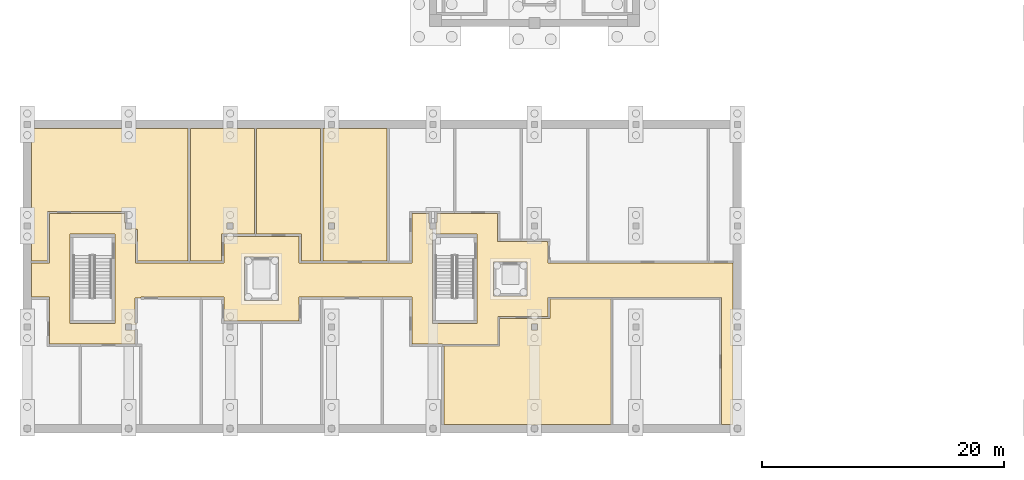
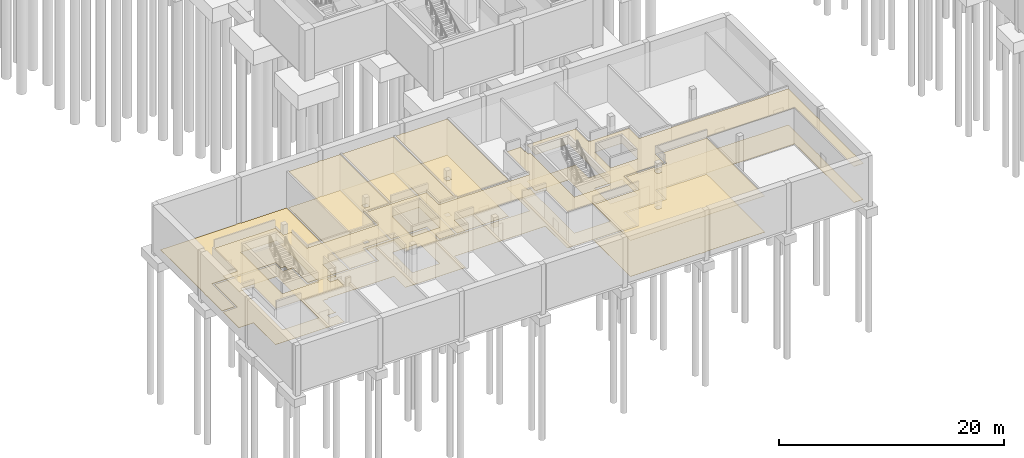
# One storey, part 20 of 33: 11 coverings.
"""IFC4 building model written with IfcOpenShell, lengths in metres."""

from ifc_helpers import new_model, si_unit, direction, frame, origin, place, context, subcontext, project, spatial, polyline, outline, extrude, material, layer, layer_set, type_object, element, save


model = new_model("IFC4")

# Units and contexts
model_context = context("Model", 3, precision=1e-05, world=origin(), true_north=direction((0.0, 1.0)))
body_context = subcontext(model_context, "Body", "Model", "MODEL_VIEW")
ifc_project = project(units=[si_unit("LENGTHUNIT", "METRE"), si_unit("AREAUNIT", "SQUARE_METRE"), si_unit("VOLUMEUNIT", "CUBIC_METRE"), si_unit("PLANEANGLEUNIT", "RADIAN"), si_unit("MASSUNIT", "GRAM", prefix="KILO")], contexts=[model_context])

# Site, building, storey
site_placement = place(None, origin())
site = spatial("IfcSite", under=ifc_project, at=site_placement, CompositionType="ELEMENT")
building_placement = place(site_placement, origin())
building = spatial("IfcBuilding", under=site, at=building_placement, Name="Larchfold Concert Hall", CompositionType="ELEMENT")
storey_placement = place(building_placement, frame((0.0, 0.0, -5.0)))
storey = spatial("IfcBuildingStorey", under=building, at=storey_placement, Name="B1", CompositionType="ELEMENT", Elevation=-5.0)

# Coverings
ifc_material_1 = material(Name="Mineral fibre ceiling tile")
ifc_layer_1 = layer(ifc_material_1, 0.02001953125)
ifc_layer_set_1 = layer_set([ifc_layer_1], Name="Mineral fibre ceiling tile")
covering_type_1 = type_object("IfcCoveringType", Name="Ceiling mineral fibre tile 20", PredefinedType="CEILING", material=ifc_layer_set_1)
covering_1_placement = place(storey_placement, frame((0.0, 0.0, 3.920166015625)))
element("IfcCovering", 1, at=covering_1_placement, inside=storey, type_object=covering_type_1, Name="Ceiling Street Wing Store", PredefinedType="CEILING", context=body_context, shape_type="SweptSolid", body=[
    extrude(outline(polyline([(39.724853515625, 9.800048828125), (39.72509765625, 7.425048828125), (35.0, 7.425048828125), (35.0, 7.39990234375), (35.10009765625, 7.39990234375), (35.10009765625, 0.9501953125), (42.35009765625, 0.9501953125), (42.35009765625, 0.900146484375), (42.85009765625, 0.900146484375), (42.85009765625, 0.9501953125), (48.925048828125, 0.9501953125), (48.925048828125, 11.324951171875), (43.875, 11.324951171875), (43.875, 9.72509765625), (39.72509765625, 9.72509765625), (39.724853515625, 9.800048828125)]), holes=[polyline([(42.85009765625, 9.25), (42.85009765625, 8.75), (42.35009765625, 8.75), (42.35009765625, 9.25), (42.85009765625, 9.25)])]), origin(), (0.0, 0.0, 1.0), 0.02001953125),
])
covering_2_placement = place(storey_placement, frame((0.0, 0.0, 3.920166015625)))
element("IfcCovering", 2, at=covering_2_placement, inside=storey, type_object=covering_type_1, Name="Ceiling Corridor 02", PredefinedType="CEILING", context=body_context, shape_type="SweptSolid", body=[
    extrude(outline(polyline([(0.9501953125, 14.3251953125), (0.9501953125, 11.5), (2.449951171875, 11.5), (2.4501953125, 7.60009765625), (9.59912109375, 7.60009765625), (9.60009765625, 7.5009765625), (9.60009765625, 7.60009765625), (9.649169921875, 7.60205078125), (9.519775390625, 7.60205078125), (9.51904296875, 8.761962890625), (9.25, 8.765625), (9.25, 8.75), (8.75, 8.75), (8.75, 9.25), (9.25, 9.25), (9.25, 9.239990234375), (9.649658203125, 9.239990234375), (9.649658203125, 9.3701171875), (9.52001953125, 9.370361328125), (9.52392578125, 11.4052734375), (10.029052734375, 11.40087890625), (10.029052734375, 11.5), (16.89990234375, 11.5), (16.900146484375, 9.5), (23.099853515625, 9.5), (23.099853515625, 11.5), (32.449951171875, 11.5), (32.4501953125, 7.60009765625), (35.0, 7.60009765625), (35.0, 7.574951171875), (39.574951171875, 7.574951171875), (39.574951171875, 9.875), (39.724853515625, 9.875), (39.724853515625, 9.798583984375), (39.72509765625, 9.875), (43.72509765625, 9.875), (43.72509765625, 11.47509765625), (58.074951171875, 11.47509765625), (58.074951171875, 0.9501953125), (59.0498046875, 0.9501953125), (59.0498046875, 8.75), (59.099853515625, 8.75), (59.099853515625, 9.25), (59.0498046875, 9.25), (59.0498046875, 14.324951171875), (47.02001953125, 14.323974609375), (47.02001953125, 14.298828125), (43.70947265625, 14.298583984375), (43.699462890625, 16.0986328125), (43.78173828125, 16.09912109375), (39.552978515625, 16.100830078125), (39.549072265625, 18.398681640625), (39.6494140625, 18.39892578125), (34.5400390625, 18.39892578125), (34.5400390625, 18.4990234375), (34.5380859375, 17.669677734375), (34.4375, 17.669921875), (34.4375, 17.64990234375), (34.449951171875, 17.64990234375), (34.449951171875, 17.14990234375), (34.4365234375, 17.14990234375), (34.43994140625, 16.699951171875), (37.85009765625, 16.699951171875), (37.85009765625, 9.300048828125), (34.14990234375, 9.300048828125), (34.14990234375, 16.699951171875), (34.16162109375, 16.699951171875), (34.162353515625, 17.14990234375), (33.949951171875, 17.14990234375), (33.949951171875, 17.64990234375), (33.85986328125, 17.64990234375), (33.85986328125, 18.39892578125), (32.450927734375, 18.39892578125), (32.450927734375, 18.43896484375), (32.44091796875, 14.298828125), (23.109375, 14.298583984375), (23.099365234375, 16.49853515625), (23.199462890625, 16.4990234375), (16.90087890625, 16.4990234375), (16.90087890625, 16.5732421875), (16.89404296875, 14.300048828125), (14.02001953125, 14.298828125), (14.02001953125, 14.323974609375), (9.584228515625, 14.32373046875), (9.5771484375, 17.084716796875), (9.652587890625, 17.0849609375), (9.65234375, 17.159912109375), (9.25, 17.1669921875), (9.25, 17.14990234375), (8.75, 17.14990234375), (8.75, 17.64990234375), (8.763427734375, 17.64990234375), (8.76318359375, 17.669921875), (8.68798828125, 17.669677734375), (8.68505859375, 18.490478515625), (8.68505859375, 18.424072265625), (2.426025390625, 18.424072265625), (2.425048828125, 14.3310546875), (0.9501953125, 14.3251953125)]), holes=[polyline([(42.0, 11.60009765625), (39.199951171875, 11.60009765625), (39.199951171875, 14.39990234375), (42.0, 14.39990234375), (42.0, 11.60009765625)]), polyline([(21.39990234375, 11.199951171875), (18.60009765625, 11.199951171875), (18.60009765625, 14.800048828125), (21.39990234375, 14.800048828125), (21.39990234375, 11.199951171875)]), polyline([(7.85009765625, 9.303955078125), (4.14990234375, 9.300048828125), (4.14990234375, 16.699951171875), (7.85009765625, 16.699951171875), (7.85009765625, 9.303955078125)])]), origin(), (0.0, 0.0, 1.0), 0.02001953125),
])
ifc_material_2 = material(Name="Plasterboard ceiling lining")
ifc_layer_2 = layer(ifc_material_2, 0.030029296875)
ifc_layer_set_2 = layer_set([ifc_layer_2], Name="Plasterboard ceiling lining")
covering_type_2 = type_object("IfcCoveringType", Name="Ceiling suspended plasterboard 30", PredefinedType="CEILING", material=ifc_layer_set_2)
covering_3_placement = place(storey_placement, frame((0.0, 0.0, 3.91015625)))
element("IfcCovering", 3, at=covering_3_placement, inside=storey, type_object=covering_type_2, Name="Ceiling Practice Room 10", PredefinedType="CEILING", context=body_context, shape_type="SweptSolid", body=[
    extrude(outline(polyline([(19.60009765625, 25.449951171875), (19.60009765625, 16.699951171875), (19.5, 16.69921875), (23.299072265625, 16.69921875), (23.30908203125, 14.39990234375), (23.30908203125, 14.4990234375), (25.0, 14.4990234375), (24.89990234375, 14.5), (24.89990234375, 25.449951171875), (19.60009765625, 25.449951171875)])), origin(), (0.0, 0.0, 1.0), 0.030029296875),
])
covering_4_placement = place(storey_placement, frame((0.0, 0.0, 3.91015625)))
element("IfcCovering", 4, at=covering_4_placement, inside=storey, type_object=covering_type_2, Name="Ceiling Practice Room 11", PredefinedType="CEILING", context=body_context, shape_type="SweptSolid", body=[
    extrude(outline(polyline([(25.0, 14.5), (30.5, 14.4990234375), (30.39990234375, 14.5), (30.39990234375, 25.449951171875), (26.050048828125, 25.449951171875), (26.050048828125, 25.5), (25.550048828125, 25.5), (25.550048828125, 25.449951171875), (25.10009765625, 25.449951171875), (25.10009765625, 14.5), (25.0, 14.5)]), holes=[polyline([(25.550048828125, 17.64990234375), (26.050048828125, 17.64990234375), (26.050048828125, 17.14990234375), (25.550048828125, 17.14990234375), (25.550048828125, 17.64990234375)])]), origin(), (0.0, 0.0, 1.0), 0.030029296875),
])
covering_5_placement = place(storey_placement, frame((0.0, 0.0, 3.91015625)))
element("IfcCovering", 5, at=covering_5_placement, inside=storey, type_object=covering_type_2, Name="Ceiling Practice Room 09", PredefinedType="CEILING", context=body_context, shape_type="SweptSolid", body=[
    extrude(outline(polyline([(14.10009765625, 25.449951171875), (14.10009765625, 14.5), (14.0, 14.5), (14.0, 14.473876953125), (14.02001953125, 14.473876953125), (14.02001953125, 14.4990234375), (16.764892578125, 14.5), (16.6943359375, 14.500244140625), (16.701171875, 16.69921875), (19.5, 16.69921875), (19.39990234375, 16.699951171875), (19.39990234375, 25.449951171875), (17.64990234375, 25.449951171875), (17.64990234375, 25.5), (17.14990234375, 25.5), (17.14990234375, 25.449951171875), (14.10009765625, 25.449951171875)]), holes=[polyline([(17.14990234375, 17.64990234375), (17.64990234375, 17.64990234375), (17.64990234375, 17.14990234375), (17.14990234375, 17.14990234375), (17.14990234375, 17.64990234375)])]), origin(), (0.0, 0.0, 1.0), 0.030029296875),
])
ifc_material_3 = material(Name="Sealed cement screed")
ifc_layer_3 = layer(ifc_material_3, 0.050048828125)
ifc_layer_set_3 = layer_set([ifc_layer_3], Name="Sealed cement screed")
covering_type_3 = type_object("IfcCoveringType", Name="Floor finish sealed screed 50", PredefinedType="FLOORING", material=ifc_layer_set_3)
covering_6_placement = place(storey_placement, origin())
element("IfcCovering", 6, at=covering_6_placement, inside=storey, type_object=covering_type_3, Name="Floor finish Street Wing Plant Room 02", PredefinedType="FLOORING", context=body_context, shape_type="SweptSolid", body=[
    extrude(outline(polyline([(2.275146484375, 14.39990234375), (2.276123046875, 18.573974609375), (8.834716796875, 18.57421875), (8.837890625, 17.670166015625), (8.73291015625, 17.669921875), (8.733154296875, 17.632080078125), (8.75, 17.61962890625), (8.75, 17.64990234375), (9.25, 17.64990234375), (9.25, 17.14990234375), (9.213134765625, 17.14990234375), (9.21728515625, 17.142333984375), (9.25, 17.1298828125), (9.650146484375, 17.1298828125), (9.650146484375, 17.0849609375), (9.72705078125, 17.085205078125), (9.73388671875, 14.438232421875), (9.73388671875, 14.473876953125), (14.0, 14.473876953125), (14.0, 14.5), (13.89990234375, 14.5), (13.89990234375, 25.449951171875), (9.25, 25.449951171875), (9.25, 25.5), (8.75, 25.5), (8.75, 25.449951171875), (0.9501953125, 25.449951171875), (0.9501953125, 17.64990234375), (0.900146484375, 17.64990234375), (0.900146484375, 17.14990234375), (0.9501953125, 17.14990234375), (0.9501953125, 14.47509765625), (2.274658203125, 14.480712890625), (2.275146484375, 14.39990234375)])), origin(), (0.0, 0.0, 1.0), 0.050048828125),
])
ifc_material_4 = material(Name="Linoleum sheet")
ifc_layer_4 = layer(ifc_material_4, 0.02001953125)
ifc_layer_set_4 = layer_set([ifc_layer_4], Name="Linoleum sheet")
covering_type_4 = type_object("IfcCoveringType", Name="Floor finish vinyl 20", PredefinedType="FLOORING", material=ifc_layer_set_4)
covering_7_placement = place(storey_placement, origin())
element("IfcCovering", 7, at=covering_7_placement, inside=storey, type_object=covering_type_4, Name="Floor finish Street Wing Store", PredefinedType="FLOORING", context=body_context, shape_type="SweptSolid", body=[
    extrude(outline(polyline([(39.724853515625, 9.800048828125), (39.72509765625, 7.425048828125), (35.0, 7.425048828125), (35.0, 7.39990234375), (35.10009765625, 7.39990234375), (35.10009765625, 0.9501953125), (42.35009765625, 0.9501953125), (42.35009765625, 0.900146484375), (42.85009765625, 0.900146484375), (42.85009765625, 0.9501953125), (48.925048828125, 0.9501953125), (48.925048828125, 11.324951171875), (43.875, 11.324951171875), (43.875, 9.72509765625), (39.72509765625, 9.72509765625), (39.724853515625, 9.800048828125)]), holes=[polyline([(42.85009765625, 9.25), (42.85009765625, 8.75), (42.35009765625, 8.75), (42.35009765625, 9.25), (42.85009765625, 9.25)])]), origin(), (0.0, 0.0, 1.0), 0.02001953125),
])
covering_8_placement = place(storey_placement, origin())
element("IfcCovering", 8, at=covering_8_placement, inside=storey, type_object=covering_type_4, Name="Floor finish Corridor 02", PredefinedType="FLOORING", context=body_context, shape_type="SweptSolid", body=[
    extrude(outline(polyline([(0.9501953125, 14.3251953125), (0.9501953125, 11.5), (2.449951171875, 11.5), (2.4501953125, 7.60009765625), (9.59912109375, 7.60009765625), (9.60009765625, 7.5009765625), (9.60009765625, 7.60009765625), (9.649169921875, 7.60205078125), (9.519775390625, 7.60205078125), (9.51904296875, 8.761962890625), (9.25, 8.765625), (9.25, 8.75), (8.75, 8.75), (8.75, 9.25), (9.25, 9.25), (9.25, 9.239990234375), (9.649658203125, 9.239990234375), (9.649658203125, 9.3701171875), (9.52001953125, 9.370361328125), (9.52392578125, 11.4052734375), (10.029052734375, 11.40087890625), (10.029052734375, 11.5), (16.89990234375, 11.5), (16.900146484375, 9.5), (23.099853515625, 9.5), (23.099853515625, 11.5), (32.449951171875, 11.5), (32.4501953125, 7.60009765625), (35.0, 7.60009765625), (35.0, 7.574951171875), (39.574951171875, 7.574951171875), (39.574951171875, 9.875), (39.724853515625, 9.875), (39.724853515625, 9.798583984375), (39.72509765625, 9.875), (43.72509765625, 9.875), (43.72509765625, 11.47509765625), (58.074951171875, 11.47509765625), (58.074951171875, 0.9501953125), (59.0498046875, 0.9501953125), (59.0498046875, 8.75), (59.099853515625, 8.75), (59.099853515625, 9.25), (59.0498046875, 9.25), (59.0498046875, 14.324951171875), (47.02001953125, 14.323974609375), (47.02001953125, 14.298828125), (43.70947265625, 14.298583984375), (43.699462890625, 16.0986328125), (43.78173828125, 16.09912109375), (39.552978515625, 16.100830078125), (39.549072265625, 18.398681640625), (39.6494140625, 18.39892578125), (34.5400390625, 18.39892578125), (34.5400390625, 18.4990234375), (34.5380859375, 17.669677734375), (34.4375, 17.669921875), (34.4375, 17.64990234375), (34.449951171875, 17.64990234375), (34.449951171875, 17.14990234375), (34.4365234375, 17.14990234375), (34.43994140625, 16.699951171875), (37.85009765625, 16.699951171875), (37.85009765625, 9.300048828125), (34.14990234375, 9.300048828125), (34.14990234375, 16.699951171875), (34.16162109375, 16.699951171875), (34.162353515625, 17.14990234375), (33.949951171875, 17.14990234375), (33.949951171875, 17.64990234375), (33.85986328125, 17.64990234375), (33.85986328125, 18.39892578125), (32.450927734375, 18.39892578125), (32.450927734375, 18.43896484375), (32.44091796875, 14.298828125), (23.109375, 14.298583984375), (23.099365234375, 16.49853515625), (23.199462890625, 16.4990234375), (16.90087890625, 16.4990234375), (16.90087890625, 16.5732421875), (16.89404296875, 14.300048828125), (14.02001953125, 14.298828125), (14.02001953125, 14.323974609375), (9.584228515625, 14.32373046875), (9.5771484375, 17.084716796875), (9.652587890625, 17.0849609375), (9.65234375, 17.159912109375), (9.25, 17.1669921875), (9.25, 17.14990234375), (8.75, 17.14990234375), (8.75, 17.64990234375), (8.763427734375, 17.64990234375), (8.76318359375, 17.669921875), (8.68798828125, 17.669677734375), (8.68505859375, 18.490478515625), (8.68505859375, 18.424072265625), (2.426025390625, 18.424072265625), (2.425048828125, 14.3310546875), (0.9501953125, 14.3251953125)]), holes=[polyline([(42.0, 11.60009765625), (39.199951171875, 11.60009765625), (39.199951171875, 14.39990234375), (42.0, 14.39990234375), (42.0, 11.60009765625)]), polyline([(21.39990234375, 11.199951171875), (18.60009765625, 11.199951171875), (18.60009765625, 14.800048828125), (21.39990234375, 14.800048828125), (21.39990234375, 11.199951171875)]), polyline([(7.85009765625, 9.303955078125), (4.14990234375, 9.300048828125), (4.14990234375, 16.699951171875), (7.85009765625, 16.699951171875), (7.85009765625, 9.303955078125)])]), origin(), (0.0, 0.0, 1.0), 0.02001953125),
])
covering_9_placement = place(storey_placement, origin())
element("IfcCovering", 9, at=covering_9_placement, inside=storey, type_object=covering_type_4, Name="Floor finish Practice Room 10", PredefinedType="FLOORING", context=body_context, shape_type="SweptSolid", body=[
    extrude(outline(polyline([(19.60009765625, 25.449951171875), (19.60009765625, 16.699951171875), (19.5, 16.69921875), (23.299072265625, 16.69921875), (23.30908203125, 14.39990234375), (23.30908203125, 14.4990234375), (25.0, 14.4990234375), (24.89990234375, 14.5), (24.89990234375, 25.449951171875), (19.60009765625, 25.449951171875)])), origin(), (0.0, 0.0, 1.0), 0.02001953125),
])
covering_10_placement = place(storey_placement, origin())
element("IfcCovering", 10, at=covering_10_placement, inside=storey, type_object=covering_type_4, Name="Floor finish Practice Room 11", PredefinedType="FLOORING", context=body_context, shape_type="SweptSolid", body=[
    extrude(outline(polyline([(25.0, 14.5), (30.5, 14.4990234375), (30.39990234375, 14.5), (30.39990234375, 25.449951171875), (26.050048828125, 25.449951171875), (26.050048828125, 25.5), (25.550048828125, 25.5), (25.550048828125, 25.449951171875), (25.10009765625, 25.449951171875), (25.10009765625, 14.5), (25.0, 14.5)]), holes=[polyline([(25.550048828125, 17.64990234375), (26.050048828125, 17.64990234375), (26.050048828125, 17.14990234375), (25.550048828125, 17.14990234375), (25.550048828125, 17.64990234375)])]), origin(), (0.0, 0.0, 1.0), 0.02001953125),
])
covering_11_placement = place(storey_placement, origin())
element("IfcCovering", 11, at=covering_11_placement, inside=storey, type_object=covering_type_4, Name="Floor finish Practice Room 09", PredefinedType="FLOORING", context=body_context, shape_type="SweptSolid", body=[
    extrude(outline(polyline([(14.10009765625, 25.449951171875), (14.10009765625, 14.5), (14.0, 14.5), (14.0, 14.473876953125), (14.02001953125, 14.473876953125), (14.02001953125, 14.4990234375), (16.764892578125, 14.5), (16.6943359375, 14.500244140625), (16.701171875, 16.69921875), (19.5, 16.69921875), (19.39990234375, 16.699951171875), (19.39990234375, 25.449951171875), (17.64990234375, 25.449951171875), (17.64990234375, 25.5), (17.14990234375, 25.5), (17.14990234375, 25.449951171875), (14.10009765625, 25.449951171875)]), holes=[polyline([(17.14990234375, 17.64990234375), (17.64990234375, 17.64990234375), (17.64990234375, 17.14990234375), (17.14990234375, 17.14990234375), (17.14990234375, 17.64990234375)])]), origin(), (0.0, 0.0, 1.0), 0.02001953125),
])

save(model, "model.ifc")
